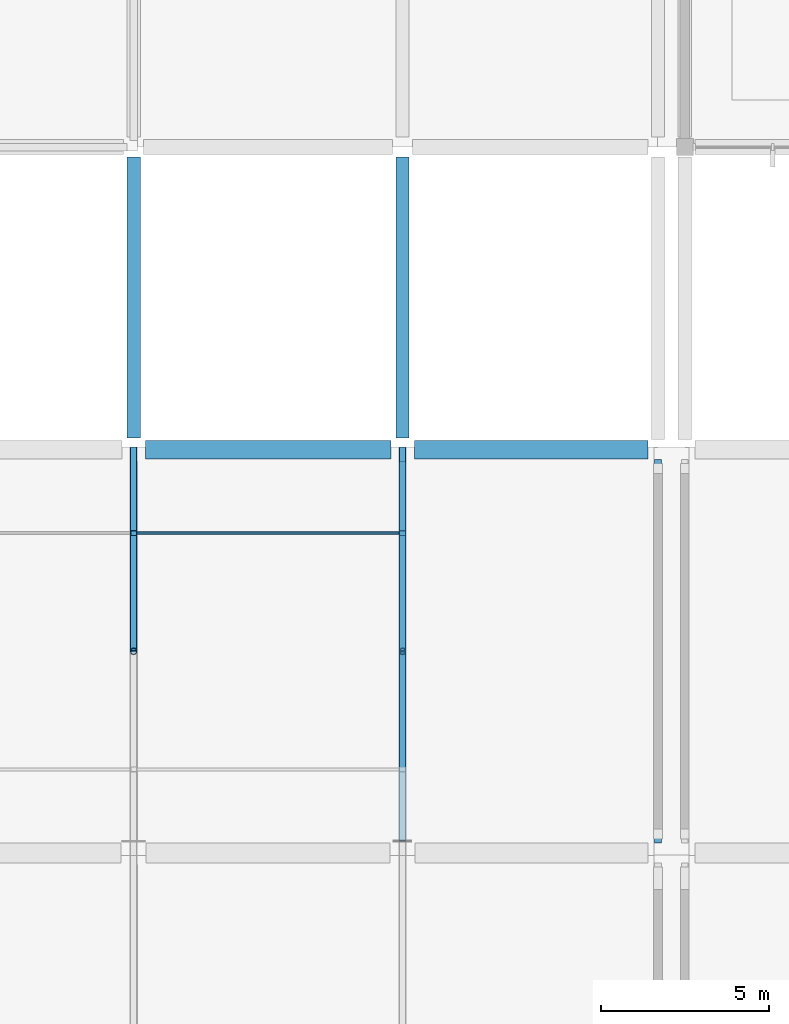
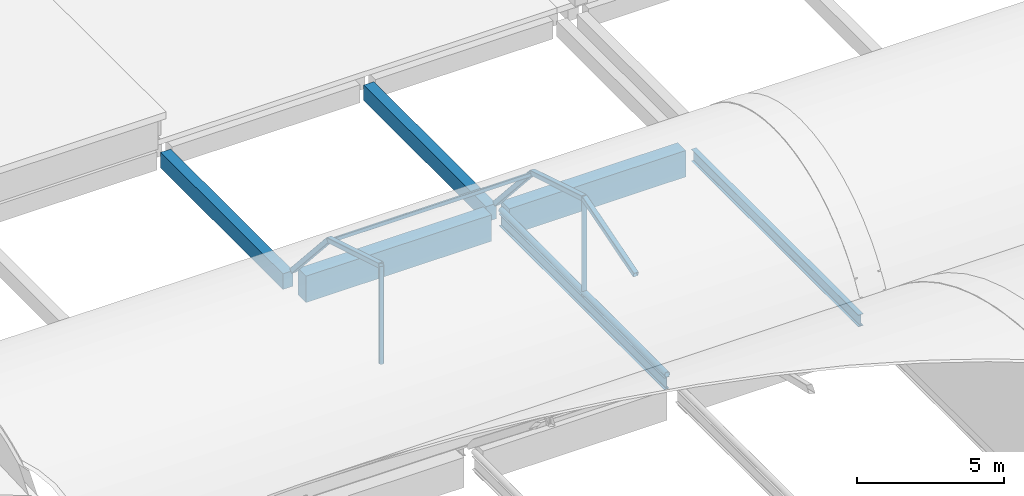
# One storey, part 16 of 57: 9 members, 6 beams.
"""IFC4 building model written with IfcOpenShell, lengths in metres."""

from ifc_helpers import new_model, si_unit, direction, frame, origin, origin_2d, place, context, subcontext, project, spatial, rectangle, hollow_rectangle, hollow_circle, i_section, extrude, material, material_profile, profile_set, type_object, element, save


model = new_model("IFC4")

# Units and contexts
model_context = context("Model", 3, precision=1e-05, world=origin(), true_north=direction((0.0, 1.0)))
body_context = subcontext(model_context, "Body", "Model", "MODEL_VIEW")
ifc_project = project(units=[si_unit("LENGTHUNIT", "METRE"), si_unit("AREAUNIT", "SQUARE_METRE"), si_unit("VOLUMEUNIT", "CUBIC_METRE"), si_unit("PLANEANGLEUNIT", "RADIAN"), si_unit("MASSUNIT", "GRAM", prefix="KILO"), si_unit("THERMODYNAMICTEMPERATUREUNIT", "KELVIN"), si_unit("POWERUNIT", "WATT")], contexts=[model_context])

# Site, building, storey
site_placement = place(None, origin())
site = spatial("IfcSite", under=ifc_project, at=site_placement, CompositionType="ELEMENT")
building_placement = place(site_placement, origin())
building = spatial("IfcBuilding", under=site, at=building_placement, Name="Kronsvod Quay Wholesale Market", CompositionType="ELEMENT")
storey_placement = place(building_placement, frame((0.0, 0.0, 13.199951171875)))
storey = spatial("IfcBuildingStorey", under=building, at=storey_placement, Name="L03", CompositionType="ELEMENT", Elevation=13.199951171875)

# Beams
ifc_material_1 = material(Name="Precast concrete C40/50", Category="concrete")
ifc_material_profile_1 = material_profile(ifc_material_1, rectangle(XDim=0.39990234375, YDim=0.64990234375, at=origin_2d()), Name="PCB400x650")
ifc_profile_set_1 = profile_set([ifc_material_profile_1], Name="Precast concrete C40/50")
beam_type_1 = type_object("IfcBeamType", Name="Beam_PCB400x650", PredefinedType="BEAM", material=ifc_profile_set_1)
for number, where, z_axis, x_axis, name in (
    (1, (48.0, 90.35009765625, -0.635009765625), (0.0, 1.0, 0.0), (-1.0, 0.0, 0.0), "BMY-L03-480-900"),
    (2, (56.0, 90.35009765625, -0.635009765625), (0.0, 1.0, 0.0), (-1.0, 0.0, 0.0), "BMY-L03-560-900"),
):
    element("IfcBeam", number, at=place(storey_placement, frame(where, z_axis=z_axis, x_axis=x_axis)), inside=storey, type_object=beam_type_1, Name=name, PredefinedType="BEAM", context=body_context, shape_type="SweptSolid", body=[
        extrude(rectangle(XDim=0.39990234375, YDim=0.64990234375, at=origin_2d()), origin(), (0.0, 0.0, 1.0), 8.349853515625),
    ])
ifc_material_2 = material(Name="Precast concrete C40/50", Category="concrete")
ifc_material_profile_2 = material_profile(ifc_material_2, rectangle(XDim=0.550048828125, YDim=1.10009765625, at=origin_2d()), Name="PCVG550x1100")
ifc_profile_set_2 = profile_set([ifc_material_profile_2], Name="Precast concrete C40/50")
beam_type_2 = type_object("IfcBeamType", Name="Girder_PCVG550x1100", PredefinedType="T_BEAM", material=ifc_profile_set_2)
beam_1_placement = place(storey_placement, frame((48.35009765625, 90.0, -0.77001953125), z_axis=(1.0, 0.0, 0.0), x_axis=(0.0, 1.0, 0.0)))
element("IfcBeam", 3, at=beam_1_placement, inside=storey, type_object=beam_type_2, Name="BMX-L03-480-900", PredefinedType="T_BEAM", context=body_context, shape_type="SweptSolid", body=[
    extrude(rectangle(XDim=0.550048828125, YDim=1.10009765625, at=origin_2d()), origin(), (0.0, 0.0, 1.0), 7.2998046875),
])
beam_2_placement = place(storey_placement, frame((56.35009765625, 90.0, -0.77001953125), z_axis=(1.0, 0.0, 0.0), x_axis=(0.0, 1.0, 0.0)))
element("IfcBeam", 4, at=beam_2_placement, inside=storey, type_object=beam_type_2, Name="BMX-L03-560-900", PredefinedType="T_BEAM", context=body_context, shape_type="SweptSolid", body=[
    extrude(rectangle(XDim=0.550048828125, YDim=1.10009765625, at=origin_2d()), origin(), (0.0, 0.0, 1.0), 6.949951171875),
])
ifc_material_3 = material(Name="Steel S355", Category="steel")
ifc_material_profile_3 = material_profile(ifc_material_3, i_section(OverallWidth=0.198974609375, OverallDepth=0.49609375, WebThickness=0.009033203125, FlangeThickness=0.013916015625, FilletRadius=0.02001953125, at=origin_2d()), Name="50B1")
ifc_profile_set_3 = profile_set([ifc_material_profile_3], Name="Steel S355")
beam_type_3 = type_object("IfcBeamType", Name="Girder_Steel50B1", PredefinedType="T_BEAM", material=ifc_profile_set_3)
beam_3_placement = place(storey_placement, frame((56.0, 78.375, -0.468017578125), z_axis=(0.0, 1.0, 0.0), x_axis=(-1.0, 0.0, 0.0)))
element("IfcBeam", 5, at=beam_3_placement, inside=storey, type_object=beam_type_3, Name="BMY-L03-560-780", PredefinedType="T_BEAM", context=body_context, shape_type="SweptSolid", body=[
    extrude(i_section(OverallWidth=0.198974609375, OverallDepth=0.49609375, WebThickness=0.009033203125, FlangeThickness=0.013916015625, FilletRadius=0.02001953125, at=origin_2d()), origin(), (0.0, 0.0, 1.0), 11.27490234375),
])
beam_4_placement = place(storey_placement, frame((63.60009765625, 78.300048828125, -0.468017578125), z_axis=(0.0, 1.0, 0.0), x_axis=(-1.0, 0.0, 0.0)))
element("IfcBeam", 6, at=beam_4_placement, inside=storey, type_object=beam_type_3, Name="BMY-L03-636-780", PredefinedType="T_BEAM", context=body_context, shape_type="SweptSolid", body=[
    extrude(i_section(OverallWidth=0.198974609375, OverallDepth=0.49609375, WebThickness=0.009033203125, FlangeThickness=0.013916015625, FilletRadius=0.02001953125, at=origin_2d()), origin(), (0.0, 0.0, 1.0), 11.39990234375),
])

# Members
ifc_material_4 = material(Name="Steel S355", Category="steel")
ifc_material_profile_4 = material_profile(ifc_material_4, hollow_rectangle(XDim=0.199951171875, YDim=0.199951171875, WallThickness=0.010009765625, InnerFilletRadius=0.010009765625, OuterFilletRadius=0.02001953125, at=origin_2d()), Name="RHS200x200x10")
ifc_profile_set_4 = profile_set([ifc_material_profile_4], Name="Steel S355")
member_type_1 = type_object("IfcMemberType", Name="Member_Arch200x200", PredefinedType="RAFTER", material=ifc_profile_set_4)
member_1_placement = place(storey_placement, frame((48.0, 84.0, 3.840087890625), z_axis=(0.0, 0.957082500132, -0.289815610245), x_axis=(-1.0, 0.0, 0.0)))
element("IfcMember", 7, at=member_1_placement, inside=storey, type_object=member_type_1, Name="ARCG-SH-V1W-N-480-2", PredefinedType="RAFTER", context=body_context, shape_type="SweptSolid", body=[
    extrude(hollow_rectangle(XDim=0.199951171875, YDim=0.199951171875, WallThickness=0.010009765625, InnerFilletRadius=0.010009765625, OuterFilletRadius=0.02001953125, at=origin_2d()), origin(), (0.0, 0.0, 1.0), 3.674560546875),
])
member_2_placement = place(storey_placement, frame((48.0, 87.516845703125, 2.775146484375), z_axis=(0.0, 0.66547990509, -0.746415766126), x_axis=(-1.0, 0.0, 0.0)))
element("IfcMember", 8, at=member_2_placement, inside=storey, type_object=member_type_1, Name="ARCG-SH-V1W-N-480-3", PredefinedType="RAFTER", context=body_context, shape_type="SweptSolid", body=[
    extrude(hollow_rectangle(XDim=0.199951171875, YDim=0.199951171875, WallThickness=0.010009765625, InnerFilletRadius=0.010009765625, OuterFilletRadius=0.02001953125, at=origin_2d()), origin(), (0.0, 0.0, 1.0), 3.7314453125),
])
for number, where, z_axis, x_axis, name in (
    (9, (56.0, 80.483154296875, 2.775146484375), (0.0, 0.957082500132, 0.289815610245), (-1.0, 0.0, 0.0), "ARCG-SH-V1W-N-560-1"),
    (10, (56.0, 84.0, 3.840087890625), (0.0, 0.957082500132, -0.289815610245), (-1.0, 0.0, 0.0), "ARCG-SH-V1W-N-560-2"),
):
    element("IfcMember", number, at=place(storey_placement, frame(where, z_axis=z_axis, x_axis=x_axis)), inside=storey, type_object=member_type_1, Name=name, PredefinedType="RAFTER", context=body_context, shape_type="SweptSolid", body=[
        extrude(hollow_rectangle(XDim=0.199951171875, YDim=0.199951171875, WallThickness=0.010009765625, InnerFilletRadius=0.010009765625, OuterFilletRadius=0.02001953125, at=origin_2d()), origin(), (0.0, 0.0, 1.0), 3.674560546875),
    ])
member_3_placement = place(storey_placement, frame((56.0, 87.516845703125, 2.775146484375), z_axis=(0.0, 0.66547990509, -0.746415766126), x_axis=(-1.0, 0.0, 0.0)))
element("IfcMember", 11, at=member_3_placement, inside=storey, type_object=member_type_1, Name="ARCG-SH-V1W-N-560-3", PredefinedType="RAFTER", context=body_context, shape_type="SweptSolid", body=[
    extrude(hollow_rectangle(XDim=0.199951171875, YDim=0.199951171875, WallThickness=0.010009765625, InnerFilletRadius=0.010009765625, OuterFilletRadius=0.02001953125, at=origin_2d()), origin(), (0.0, 0.0, 1.0), 3.7314453125),
])
ifc_material_5 = material(Name="Steel S355", Category="steel")
ifc_material_profile_5 = material_profile(ifc_material_5, hollow_circle(Radius=0.096923828125, WallThickness=0.008056640625, at=origin_2d()), Name="CHS194x8")
ifc_profile_set_5 = profile_set([ifc_material_profile_5], Name="Steel S355")
member_type_2 = type_object("IfcMemberType", Name="Member_Brace194x8", PredefinedType="BRACE", material=ifc_profile_set_5)
for number, where, z_axis, x_axis, name in (
    (12, (48.0, 84.0, -0.22998046875), (0.0, 0.0, 1.0), (1.0, 0.0, 0.0), "KPST-SH-V1W-N-480"),
    (13, (56.0, 84.0, -0.22998046875), (0.0, 0.0, 1.0), (1.0, 0.0, 0.0), "KPST-SH-V1W-N-560"),
):
    element("IfcMember", number, at=place(storey_placement, frame(where, z_axis=z_axis, x_axis=x_axis)), inside=storey, type_object=member_type_2, Name=name, PredefinedType="BRACE", context=body_context, shape_type="SweptSolid", body=[
        extrude(hollow_circle(Radius=0.096923828125, WallThickness=0.008056640625, at=origin_2d()), origin(), (0.0, 0.0, 1.0), 4.070068359375),
    ])
ifc_material_6 = material(Name="Steel S355", Category="steel")
ifc_material_profile_6 = material_profile(ifc_material_6, hollow_circle(Radius=0.109619140625, WallThickness=0.010009765625, at=origin_2d()), Name="CHS219x10")
ifc_profile_set_6 = profile_set([ifc_material_profile_6], Name="Steel S355")
member_type_3 = type_object("IfcMemberType", Name="Member_Chord219x10", PredefinedType="CHORD", material=ifc_profile_set_6)
member_4_placement = place(storey_placement, frame((56.0, 78.340087890625, -0.079833984375), z_axis=(0.0, 1.0, 0.0), x_axis=(-1.0, 0.0, 0.0)))
element("IfcMember", 14, at=member_4_placement, inside=storey, type_object=member_type_3, Name="CHDG-SH-V1W-N-560", PredefinedType="CHORD", context=body_context, shape_type="SweptSolid", body=[
    extrude(hollow_circle(Radius=0.109619140625, WallThickness=0.010009765625, at=origin_2d()), origin(), (0.0, 0.0, 1.0), 11.31982421875),
])
ifc_material_7 = material(Name="Steel S355", Category="steel")
ifc_material_profile_7 = material_profile(ifc_material_7, hollow_rectangle(XDim=0.080078125, YDim=0.159912109375, WallThickness=0.006103515625, InnerFilletRadius=0.006103515625, OuterFilletRadius=0.011962890625, at=origin_2d()), Name="RHS160x80x6")
ifc_profile_set_7 = profile_set([ifc_material_profile_7], Name="Steel S355")
member_type_4 = type_object("IfcMemberType", Name="Member_Purlin160x80", PredefinedType="PURLIN", material=ifc_profile_set_7)
member_5_placement = place(storey_placement, frame((48.080078125, 87.516845703125, 2.71533203125), z_axis=(1.0, 0.0, 0.0), x_axis=(0.0, 1.0, 0.0)))
element("IfcMember", 15, at=member_5_placement, inside=storey, type_object=member_type_4, Name="PRLG-SH-V1W-N-1-1", PredefinedType="PURLIN", context=body_context, shape_type="SweptSolid", body=[
    extrude(hollow_rectangle(XDim=0.080078125, YDim=0.159912109375, WallThickness=0.006103515625, InnerFilletRadius=0.006103515625, OuterFilletRadius=0.011962890625, at=origin_2d()), origin(), (0.0, 0.0, 1.0), 7.83984375),
])

save(model, "model.ifc")
